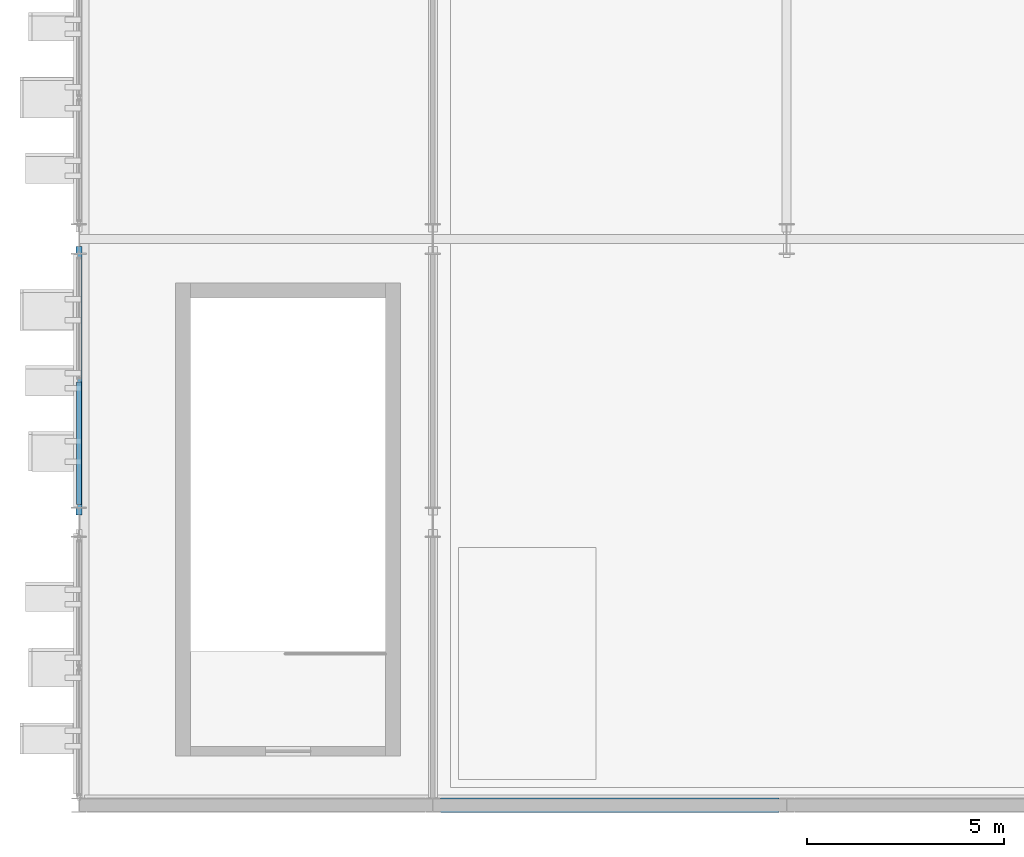
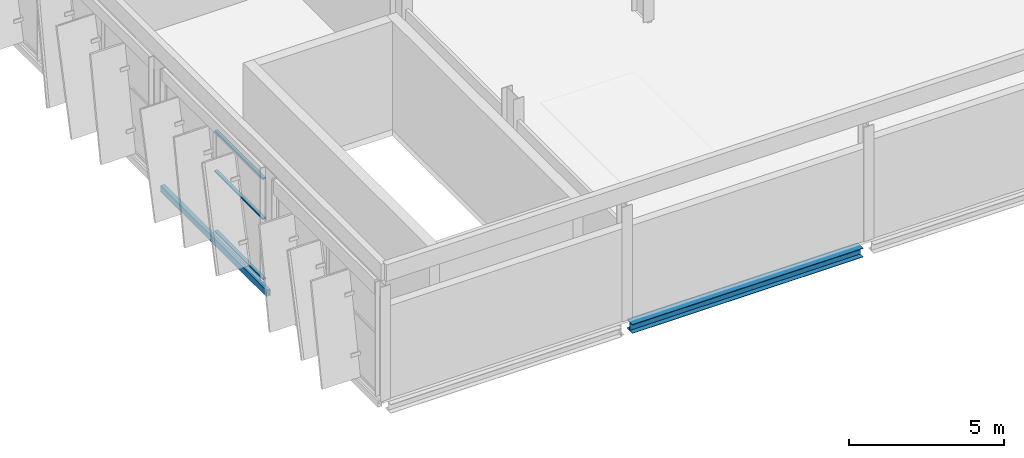
# One storey, part 6 of 52: 3 members, 2 beams, 1 element without a shape of its own.
"""IFC4 building model written with IfcOpenShell, lengths in metres."""

from ifc_helpers import new_model, si_unit, direction, frame, origin, origin_2d, place, context, subcontext, project, spatial, hollow_rectangle, i_section, extrude, material, layer, layer_set, material_profile, profile_set, type_object, element, aggregate, save


model = new_model("IFC4")

# Units and contexts
model_context = context("Model", 3, precision=1e-05, world=origin(), true_north=direction((0.0, 1.0)))
body_context = subcontext(model_context, "Body", "Model", "MODEL_VIEW")
ifc_project = project(units=[si_unit("LENGTHUNIT", "METRE"), si_unit("AREAUNIT", "SQUARE_METRE"), si_unit("VOLUMEUNIT", "CUBIC_METRE"), si_unit("PLANEANGLEUNIT", "RADIAN"), si_unit("MASSUNIT", "GRAM", prefix="KILO")], contexts=[model_context])

# Site, building, storey
site_placement = place(None, origin())
site = spatial("IfcSite", under=ifc_project, at=site_placement, CompositionType="ELEMENT")
building_placement = place(site_placement, origin())
building = spatial("IfcBuilding", under=site, at=building_placement, Name="Celestram Park Convention Centre", CompositionType="ELEMENT")
storey_placement = place(building_placement, frame((0.0, 0.0, 24.300048828125)))
storey = spatial("IfcBuildingStorey", under=building, at=storey_placement, Name="L05", CompositionType="ELEMENT", Elevation=24.300048828125)

# Curtain wall, members
ifc_material_1 = material(Name="Anodised Aluminium Alloy 6063-T6", Category="aluminium")
ifc_layer = layer(ifc_material_1, 0.179931640625)
ifc_layer_set = layer_set([ifc_layer], Name="Anodised Aluminium Alloy 6063-T6")
curtain_wall_type = type_object("IfcCurtainWallType", Name="ARC-CW-643X401", PredefinedType="NOTDEFINED", material=ifc_layer_set)
curtain_wall_placement = place(storey_placement, origin())
curtain_wall = element("IfcCurtainWall", 1, at=curtain_wall_placement, inside=storey, type_object=curtain_wall_type, Name="Unitised curtain wall CU-L05-244", PredefinedType="NOTDEFINED")
ifc_material_profile_1 = material_profile(ifc_material_1, hollow_rectangle(XDim=0.1201171875, YDim=0.06005859375, WallThickness=0.0029296875, at=origin_2d()), Name="ALU120X60X3")
ifc_profile_set_1 = profile_set([ifc_material_profile_1], Name="Anodised Aluminium Alloy 6063-T6")
member_type = type_object("IfcMemberType", Name="ARC-CWT-120", PredefinedType="USERDEFINED", material=ifc_profile_set_1)
member_1_placement = place(storey_placement, frame((36.0, 115.64892578125, 0.030029296875), z_axis=(0.0, 1.0, 0.0), x_axis=(-1.0, 0.0, 0.0)))
member_1 = element("IfcMember", 2, at=member_1_placement, type_object=member_type, Name="CW-64X40 transom 1.1", ObjectType="TRANSOM", PredefinedType="USERDEFINED", context=body_context, shape_type="SweptSolid", body=[
    extrude(hollow_rectangle(XDim=0.1201171875, YDim=0.06005859375, WallThickness=0.0029296875, at=origin_2d()), origin(), (0.0, 0.0, 1.0), 3.11865234375),
])
member_2_placement = place(storey_placement, frame((36.0, 115.64892578125, 2.406005859375), z_axis=(0.0, 1.0, 0.0), x_axis=(-1.0, 0.0, 0.0)))
member_2 = element("IfcMember", 3, at=member_2_placement, type_object=member_type, Name="CW-64X40 transom 1.2", ObjectType="TRANSOM", PredefinedType="USERDEFINED", context=body_context, shape_type="SweptSolid", body=[
    extrude(hollow_rectangle(XDim=0.1201171875, YDim=0.06005859375, WallThickness=0.0029296875, at=origin_2d()), origin(), (0.0, 0.0, 1.0), 3.11865234375),
])
member_3_placement = place(storey_placement, frame((36.0, 115.64892578125, 3.97998046875), z_axis=(0.0, 1.0, 0.0), x_axis=(-1.0, 0.0, 0.0)))
member_3 = element("IfcMember", 4, at=member_3_placement, type_object=member_type, Name="CW-64X40 transom 1.3", ObjectType="TRANSOM", PredefinedType="USERDEFINED", context=body_context, shape_type="SweptSolid", body=[
    extrude(hollow_rectangle(XDim=0.1201171875, YDim=0.06005859375, WallThickness=0.0029296875, at=origin_2d()), origin(), (0.0, 0.0, 1.0), 3.11865234375),
])
aggregate(curtain_wall, [member_1, member_2, member_3])

# Beams
ifc_material_2 = material(Name="Steel ASTM A500 Grade C", Category="steel")
ifc_material_profile_2 = material_profile(ifc_material_2, hollow_rectangle(XDim=0.14990234375, YDim=0.25, WallThickness=0.010009765625, at=origin_2d()), Name="HSS250X150X10")
ifc_profile_set_2 = profile_set([ifc_material_profile_2], Name="Steel ASTM A500 Grade C")
beam_type_1 = type_object("IfcBeamType", Name="STR-SPN-HSS250X150", PredefinedType="SPANDREL", material=ifc_profile_set_2)
beam_1_placement = place(storey_placement, frame((36.0, 115.384521484375, -0.364990234375), z_axis=(0.0, 1.0, 0.0), x_axis=(-1.0, 0.0, 0.0)))
element("IfcBeam", 5, at=beam_1_placement, inside=storey, type_object=beam_type_1, Name="Primary Y-girder BG-L05-0003", PredefinedType="SPANDREL", context=body_context, shape_type="SweptSolid", body=[
    extrude(hollow_rectangle(XDim=0.14990234375, YDim=0.25, WallThickness=0.010009765625, at=origin_2d()), origin(), (0.0, 0.0, 1.0), 6.8310546875),
])
ifc_material_3 = material(Name="Steel ASTM A992 Grade 50", Category="steel")
ifc_material_profile_3 = material_profile(ifc_material_3, i_section(OverallWidth=0.367919921875, OverallDepth=0.35595703125, WebThickness=0.01123046875, FlangeThickness=0.01806640625, at=origin_2d()), Name="W14X90")
ifc_profile_set_3 = profile_set([ifc_material_profile_3], Name="Steel ASTM A992 Grade 50")
beam_type_2 = type_object("IfcBeamType", Name="STR-SPN-W14X90", PredefinedType="SPANDREL", material=ifc_profile_set_3)
beam_2_placement = place(storey_placement, frame((45.197998046875, 108.0, -0.41796875), z_axis=(1.0, 0.0, 0.0), x_axis=(0.0, 1.0, 0.0)))
element("IfcBeam", 6, at=beam_2_placement, inside=storey, type_object=beam_type_2, Name="Primary X-girder BG-L05-0015", PredefinedType="SPANDREL", context=body_context, shape_type="SweptSolid", body=[
    extrude(i_section(OverallWidth=0.367919921875, OverallDepth=0.35595703125, WebThickness=0.01123046875, FlangeThickness=0.01806640625, at=origin_2d()), origin(), (0.0, 0.0, 1.0), 8.60400390625),
])

save(model, "model.ifc")
